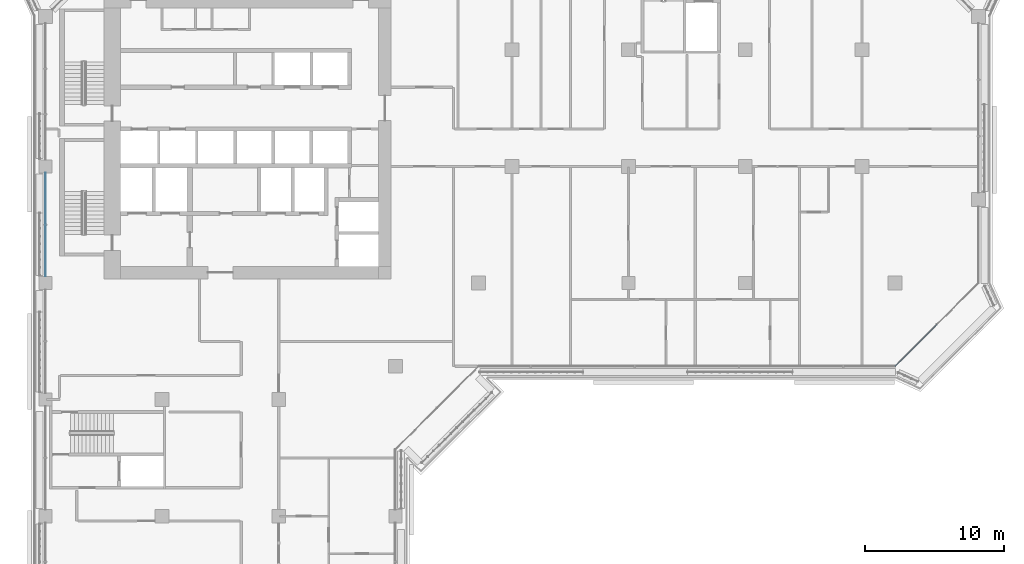
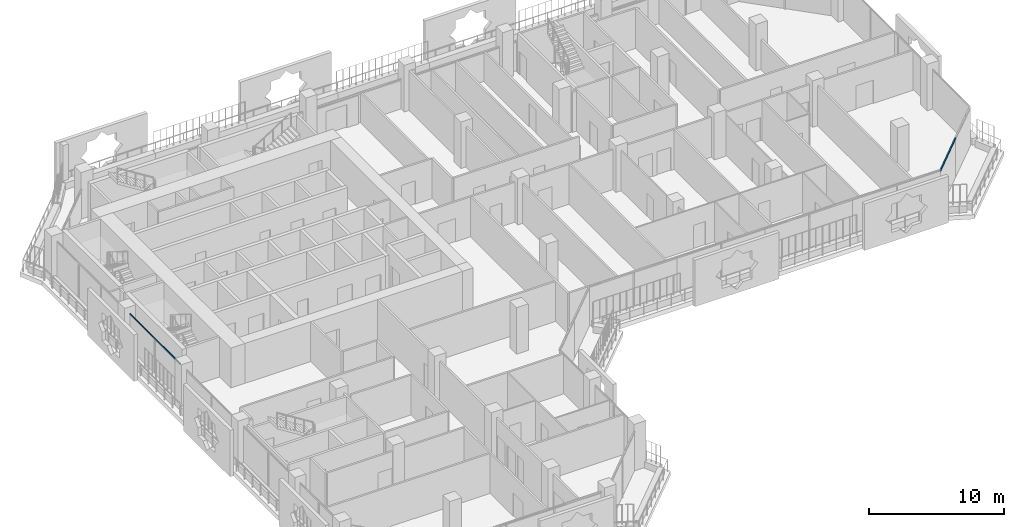
# One storey, part 4 of 22: 2 members, 2 elements without a shape of their own.
"""IFC4 building model written with IfcOpenShell, lengths in metres."""

import ifcopenshell
import ifcopenshell.guid

model = None  # the IFC model being written
_history = None  # IfcOwnerHistory: only IFC2X3 demands one
_inside = {}  # id of a spatial element -> (the spatial element, [elements in it])
_under = {}  # id of a project, library or spatial element -> (it, [spatial elements below it])
_declared = {}  # id of a project -> (the project, [libraries it declares])
_typed = {}  # id of a type object -> (the type object, [elements of that type])
_made_of = {}  # id of a material, layer set ... -> (it, [elements and type objects made of it])


def new_model(schema):
    """Start an empty IFC model of exactly this schema.

    Asked for "IFC4X3", IfcOpenShell would pick the latest addendum, in which some entities
    have other attributes; the version numbers below select the first issue.
    IFC2X3 requires an IfcOwnerHistory on every rooted entity: one is made here for all.
    """
    global model, _history
    if schema == "IFC4X3":
        model = ifcopenshell.file(schema_version=(4, 3, 0, 0))
    else:
        model = ifcopenshell.file(schema=schema)
    _inside.clear()
    _under.clear()
    _declared.clear()
    _typed.clear()
    _made_of.clear()
    _history = None
    if model.schema == "IFC2X3":
        org = make("IfcOrganization", Name="unknown")
        user = make(
            "IfcPersonAndOrganization",
            ThePerson=make("IfcPerson", FamilyName="unknown"),
            TheOrganization=org,
        )
        app = make(
            "IfcApplication",
            ApplicationDeveloper=org,
            Version="unknown",
            ApplicationFullName="unknown",
            ApplicationIdentifier="unknown",
        )
        _history = make(
            "IfcOwnerHistory",
            OwningUser=user,
            OwningApplication=app,
            ChangeAction="ADDED",
            CreationDate=0,
        )
    return model


def make(cls, **values):
    """One entity of the class cls with the attributes given. An attribute that is None is left unset."""
    return model.create_entity(
        cls, **{name: value for name, value in values.items() if value is not None}
    )


def rooted(cls, **values):
    """An entity with a GlobalId (a new one), such as an element, a storey or a relation."""
    return make(cls, GlobalId=ifcopenshell.guid.new(), OwnerHistory=_history, **values)


def si_unit(unit_type, name, prefix=None):
    """IfcSIUnit, for example si_unit("LENGTHUNIT", "METRE", prefix="MILLI")."""
    return make("IfcSIUnit", UnitType=unit_type, Prefix=prefix, Name=name)


def assignment(units):
    """IfcUnitAssignment: the units of a project."""
    return None if units is None else make("IfcUnitAssignment", Units=units)


def point(xyz):
    """IfcCartesianPoint."""
    return None if xyz is None else make("IfcCartesianPoint", Coordinates=xyz)


def direction(xyz):
    """IfcDirection."""
    return None if xyz is None else make("IfcDirection", DirectionRatios=xyz)


def frame(location, z_axis=None, x_axis=None):
    """IfcAxis2Placement3D, a coordinate frame: its origin and axes. An axis left out is left unset."""
    return make(
        "IfcAxis2Placement3D",
        Location=point(location),
        Axis=direction(z_axis),
        RefDirection=direction(x_axis),
    )


def frame_2d(location, x_axis=None):
    """IfcAxis2Placement2D, a coordinate frame in the plane: its origin and x axis."""
    return make(
        "IfcAxis2Placement2D", Location=point(location), RefDirection=direction(x_axis)
    )


def origin():
    """The frame at (0, 0, 0) with its axes left unset."""
    return frame((0.0, 0.0, 0.0))


def origin_2d():
    """The frame at (0, 0) in the plane with its x axis left unset."""
    return frame_2d((0.0, 0.0))


def place(relative_to, where):
    """IfcLocalPlacement: puts the frame where relative to a parent placement (None: the world)."""
    return make(
        "IfcLocalPlacement", PlacementRelTo=relative_to, RelativePlacement=where
    )


def context(
    kind, dimensions, precision=None, world=None, true_north=None, identifier=None
):
    """IfcGeometricRepresentationContext, for example the 3D "Model" context."""
    return make(
        "IfcGeometricRepresentationContext",
        ContextIdentifier=identifier,
        ContextType=kind,
        CoordinateSpaceDimension=dimensions,
        Precision=precision,
        WorldCoordinateSystem=world,
        TrueNorth=true_north,
    )


def subcontext(parent, identifier, kind, view, scale=None):
    """IfcGeometricRepresentationSubContext, for example "Body" below "Model"."""
    return make(
        "IfcGeometricRepresentationSubContext",
        ContextIdentifier=identifier,
        ContextType=kind,
        ParentContext=parent,
        TargetScale=scale,
        TargetView=view,
    )


def project(units=None, contexts=None):
    """IfcProject with its units and contexts."""
    return rooted(
        "IfcProject",
        Name="project",
        RepresentationContexts=contexts,
        UnitsInContext=assignment(units),
    )


def spatial(cls, under=None, at=None, **own):
    """A site, building, storey or space (cls), placed at a placement, below another one or the project."""
    s = rooted(cls, ObjectPlacement=at, **own)
    if under is not None:
        _under.setdefault(under.id(), (under, []))[1].append(s)
    return s


def profile(cls, at=None, kind="AREA", **sizes):
    """A parametric profile (cls). Its sizes go by their IFC names, for example OverallWidth=200.0."""
    return make(cls, ProfileType=kind, Position=at, **sizes)


def rectangle(**sizes):
    """IfcRectangleProfileDef."""
    return profile("IfcRectangleProfileDef", **sizes)


def extrude(swept, where, along, depth):
    """IfcExtrudedAreaSolid: the profile swept, set in the frame where, extruded along a direction by depth."""
    return make(
        "IfcExtrudedAreaSolid",
        SweptArea=swept,
        Position=where,
        ExtrudedDirection=direction(along),
        Depth=depth,
    )


def shape(context_of_items, identifier, shape_type, items):
    """IfcShapeRepresentation: the items that make up one representation, for example the "Body"."""
    return make(
        "IfcShapeRepresentation",
        ContextOfItems=context_of_items,
        RepresentationIdentifier=identifier,
        RepresentationType=shape_type,
        Items=items,
    )


def material(Name=None, Category=None):
    """IfcMaterial."""
    return make("IfcMaterial", Name=Name, Category=Category)


def layer(
    of_material, thickness, ventilated=None, Name=None, Category=None, Priority=None
):
    """IfcMaterialLayer: one layer of a wall or slab, of a material (None: an air gap)."""
    return make(
        "IfcMaterialLayer",
        Material=of_material,
        LayerThickness=thickness,
        IsVentilated=ventilated,
        Name=Name,
        Category=Category,
        Priority=Priority,
    )


def layer_set(layers, Name=None):
    """IfcMaterialLayerSet."""
    return make("IfcMaterialLayerSet", MaterialLayers=layers, LayerSetName=Name)


def material_profile(
    of_material, cross_section, Name=None, Category=None, Priority=None
):
    """IfcMaterialProfile: a cross section and its material."""
    return make(
        "IfcMaterialProfile",
        Name=Name,
        Material=of_material,
        Profile=cross_section,
        Priority=Priority,
        Category=Category,
    )


def profile_set(profiles, Name=None, composite=None):
    """IfcMaterialProfileSet."""
    return make(
        "IfcMaterialProfileSet",
        Name=Name,
        MaterialProfiles=profiles,
        CompositeProfile=composite,
    )


def made_of(thing, what):
    """Note that an element or type object is made of a material, layer set ...; save() writes the relation."""
    if what is not None:
        _made_of.setdefault(what.id(), (what, []))[1].append(thing)
    return thing


def type_object(cls, material=None, **own):
    """A type object (cls), such as IfcWallType, which elements share."""
    return made_of(rooted(cls, **own), material)


def element(
    cls,
    number,
    at=None,
    inside=None,
    cuts=None,
    type_object=None,
    material=None,
    context=None,
    identifier="Body",
    shape_type=None,
    held_by="IfcProductDefinitionShape",
    body=None,
    shapes=None,
    **own,
):
    """One element of the class cls, such as IfcWall. Its Tag is "e" and its number.

    at: its placement. inside: the storey or other place that contains it. cuts: it is an
    opening in that element (IfcRelVoidsElement). A single representation is given by context,
    identifier, shape_type and body (its items); several are given by shapes. held_by: the class
    of the entity that holds the representations. save() writes the other relations.
    """
    e = rooted(cls, Tag="e%d" % number, ObjectPlacement=at, **own)
    if body is not None:
        shapes = [shape(context, identifier, shape_type, body)]
    if shapes is not None:
        e.Representation = make(held_by, Representations=shapes)
    if inside is not None:
        _inside.setdefault(inside.id(), (inside, []))[1].append(e)
    if cuts is not None:
        rooted(
            "IfcRelVoidsElement", RelatingBuildingElement=cuts, RelatedOpeningElement=e
        )
    if type_object is not None:
        _typed.setdefault(type_object.id(), (type_object, []))[1].append(e)
    return made_of(e, material)


def aggregate(whole, parts):
    """IfcRelAggregates: a whole, such as a stair, and the parts it consists of."""
    return rooted("IfcRelAggregates", RelatingObject=whole, RelatedObjects=parts)


def save(model, path):
    """Write the relations noted so far, then the file.

    IfcRelAggregates (storeys below a building ...), IfcRelContainedInSpatialStructure (elements
    in a storey), IfcRelDefinesByType, IfcRelAssociatesMaterial and IfcRelDeclares: one each for
    every whole, place, type object, material and project.
    """
    for whole, parts in _under.values():
        aggregate(whole, parts)
    for where, things in _inside.values():
        rooted(
            "IfcRelContainedInSpatialStructure",
            RelatedElements=things,
            RelatingStructure=where,
        )
    for kind, things in _typed.values():
        rooted("IfcRelDefinesByType", RelatedObjects=things, RelatingType=kind)
    for what, things in _made_of.values():
        rooted("IfcRelAssociatesMaterial", RelatedObjects=things, RelatingMaterial=what)
    for by, libraries in _declared.values():
        rooted("IfcRelDeclares", RelatingContext=by, RelatedDefinitions=libraries)
    model.write(path)


model = new_model("IFC4")

# Units and contexts
model_context = context("Model", 3, precision=1e-05, world=origin(), true_north=direction((0.0, 1.0)))
body_context = subcontext(model_context, "Body", "Model", "MODEL_VIEW")
ifc_project = project(units=[si_unit("LENGTHUNIT", "METRE"), si_unit("AREAUNIT", "SQUARE_METRE"), si_unit("VOLUMEUNIT", "CUBIC_METRE"), si_unit("PLANEANGLEUNIT", "RADIAN"), si_unit("MASSUNIT", "GRAM", prefix="KILO")], contexts=[model_context])

# Site, building, storey
site_placement = place(None, origin())
site = spatial("IfcSite", under=ifc_project, at=site_placement, CompositionType="ELEMENT")
building_placement = place(site_placement, origin())
building = spatial("IfcBuilding", under=site, at=building_placement, Name="Kawkab Arch Medical Tower", CompositionType="ELEMENT")
storey_placement = place(building_placement, frame((0.0, 0.0, 204.60009765625)))
storey = spatial("IfcBuildingStorey", under=building, at=storey_placement, Name="L47", CompositionType="ELEMENT", Elevation=204.60009765625)

# Curtain wall, member
ifc_material_1 = material(Name="Bronze anodised aluminium curtain wall frame", Category="aluminium")
ifc_layer_1 = layer(ifc_material_1, 0.159912109375)
ifc_layer_set_1 = layer_set([ifc_layer_1], Name="Bronze anodised aluminium curtain wall frame")
curtain_wall_type_1 = type_object("IfcCurtainWallType", Name="CW1 ward curtain wall", PredefinedType="NOTDEFINED", material=ifc_layer_set_1)
placement = place(storey_placement, origin())
curtain_wall_1 = element("IfcCurtainWall", 1, at=placement, inside=storey, type_object=curtain_wall_type_1, Name="CW1 Ward curtain wall R01", PredefinedType="NOTDEFINED")
ifc_material_2 = material(Name="Bronze anodised aluminium curtain wall frame", Category="aluminium")
ifc_material_profile_1 = material_profile(ifc_material_2, rectangle(XDim=0.06005859375, YDim=0.1201171875, at=origin_2d()), Name="AL 60x120")
ifc_profile_set_1 = profile_set([ifc_material_profile_1], Name="Bronze anodised aluminium curtain wall frame")
member_type_1 = type_object("IfcMemberType", Name="CW1 transom 120 x 60", PredefinedType="USERDEFINED", material=ifc_profile_set_1)
member_1_placement = place(storey_placement, frame((0.0, -17.27490234375, 3.539794921875), z_axis=(0.0, -1.0, 0.0), x_axis=(1.0, 0.0, 0.0)))
member_1 = element("IfcMember", 2, at=member_1_placement, type_object=member_type_1, Name="CW1 transom 2", ObjectType="TRANSOM", PredefinedType="USERDEFINED", context=body_context, shape_type="SweptSolid", body=[
    extrude(rectangle(XDim=0.06005859375, YDim=0.1201171875, at=origin_2d()), origin(), (0.0, 0.0, 1.0), 7.4501953125),
])
aggregate(curtain_wall_1, [member_1])

ifc_material_3 = material(Name="Bronze anodised aluminium curtain wall frame", Category="aluminium")
ifc_layer_2 = layer(ifc_material_3, 0.159912109375)
ifc_layer_set_2 = layer_set([ifc_layer_2], Name="Bronze anodised aluminium curtain wall frame")
curtain_wall_type_2 = type_object("IfcCurtainWallType", Name="CW2 chamfer curtain wall", PredefinedType="NOTDEFINED", material=ifc_layer_set_2)
curtain_wall_2 = element("IfcCurtainWall", 3, at=placement, inside=storey, type_object=curtain_wall_type_2, Name="CW2 Chamfer curtain wall R08", PredefinedType="NOTDEFINED")
ifc_material_4 = material(Name="Bronze anodised aluminium curtain wall frame", Category="aluminium")
ifc_material_profile_2 = material_profile(ifc_material_4, rectangle(XDim=0.06005859375, YDim=0.139892578125, at=origin_2d()), Name="AL 60x140")
ifc_profile_set_2 = profile_set([ifc_material_profile_2], Name="Bronze anodised aluminium curtain wall frame")
member_type_2 = type_object("IfcMemberType", Name="CW2 transom 140 x 60", PredefinedType="USERDEFINED", material=ifc_profile_set_2)
member_2_placement = place(storey_placement, frame((61.199951171875, -31.199951171875, 3.52978515625), z_axis=(0.707106781187, 0.707106781187, 0.0), x_axis=(-0.707106781187, 0.707106781187, 0.0)))
member_2 = element("IfcMember", 4, at=member_2_placement, type_object=member_type_2, Name="CW2 transom 1", ObjectType="TRANSOM", PredefinedType="USERDEFINED", context=body_context, shape_type="SweptSolid", body=[
    extrude(rectangle(XDim=0.06005859375, YDim=0.139892578125, at=origin_2d()), origin(), (0.0, 0.0, 1.0), 4.24267578125),
])
aggregate(curtain_wall_2, [member_2])

save(model, "model.ifc")
